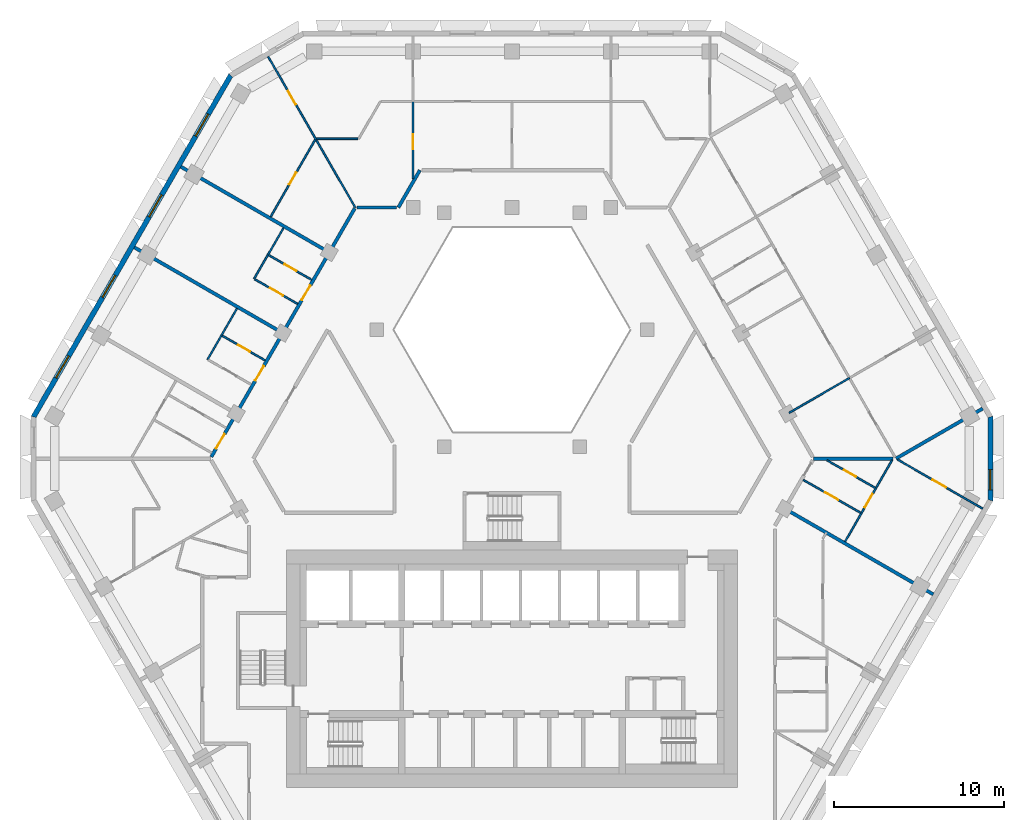
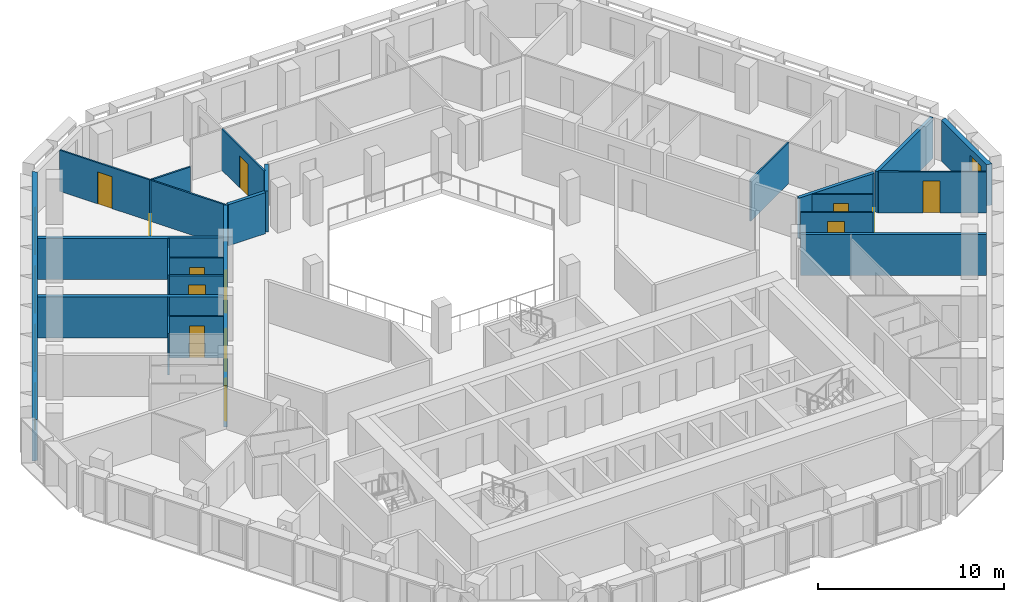
# One storey, part 7 of 15: 24 walls, 13 doors, 5 windows, 18 openings.
"""IFC4 building model written with IfcOpenShell, lengths in metres."""

import ifcopenshell
import ifcopenshell.guid

model = None  # the IFC model being written
_history = None  # IfcOwnerHistory: only IFC2X3 demands one
_inside = {}  # id of a spatial element -> (the spatial element, [elements in it])
_under = {}  # id of a project, library or spatial element -> (it, [spatial elements below it])
_declared = {}  # id of a project -> (the project, [libraries it declares])
_typed = {}  # id of a type object -> (the type object, [elements of that type])
_made_of = {}  # id of a material, layer set ... -> (it, [elements and type objects made of it])


def new_model(schema):
    """Start an empty IFC model of exactly this schema.

    Asked for "IFC4X3", IfcOpenShell would pick the latest addendum, in which some entities
    have other attributes; the version numbers below select the first issue.
    IFC2X3 requires an IfcOwnerHistory on every rooted entity: one is made here for all.
    """
    global model, _history
    if schema == "IFC4X3":
        model = ifcopenshell.file(schema_version=(4, 3, 0, 0))
    else:
        model = ifcopenshell.file(schema=schema)
    _inside.clear()
    _under.clear()
    _declared.clear()
    _typed.clear()
    _made_of.clear()
    _history = None
    if model.schema == "IFC2X3":
        org = make("IfcOrganization", Name="unknown")
        user = make(
            "IfcPersonAndOrganization",
            ThePerson=make("IfcPerson", FamilyName="unknown"),
            TheOrganization=org,
        )
        app = make(
            "IfcApplication",
            ApplicationDeveloper=org,
            Version="unknown",
            ApplicationFullName="unknown",
            ApplicationIdentifier="unknown",
        )
        _history = make(
            "IfcOwnerHistory",
            OwningUser=user,
            OwningApplication=app,
            ChangeAction="ADDED",
            CreationDate=0,
        )
    return model


def make(cls, **values):
    """One entity of the class cls with the attributes given. An attribute that is None is left unset."""
    return model.create_entity(
        cls, **{name: value for name, value in values.items() if value is not None}
    )


def rooted(cls, **values):
    """An entity with a GlobalId (a new one), such as an element, a storey or a relation."""
    return make(cls, GlobalId=ifcopenshell.guid.new(), OwnerHistory=_history, **values)


def si_unit(unit_type, name, prefix=None):
    """IfcSIUnit, for example si_unit("LENGTHUNIT", "METRE", prefix="MILLI")."""
    return make("IfcSIUnit", UnitType=unit_type, Prefix=prefix, Name=name)


def assignment(units):
    """IfcUnitAssignment: the units of a project."""
    return None if units is None else make("IfcUnitAssignment", Units=units)


def point(xyz):
    """IfcCartesianPoint."""
    return None if xyz is None else make("IfcCartesianPoint", Coordinates=xyz)


def direction(xyz):
    """IfcDirection."""
    return None if xyz is None else make("IfcDirection", DirectionRatios=xyz)


def frame(location, z_axis=None, x_axis=None):
    """IfcAxis2Placement3D, a coordinate frame: its origin and axes. An axis left out is left unset."""
    return make(
        "IfcAxis2Placement3D",
        Location=point(location),
        Axis=direction(z_axis),
        RefDirection=direction(x_axis),
    )


def frame_2d(location, x_axis=None):
    """IfcAxis2Placement2D, a coordinate frame in the plane: its origin and x axis."""
    return make(
        "IfcAxis2Placement2D", Location=point(location), RefDirection=direction(x_axis)
    )


def origin():
    """The frame at (0, 0, 0) with its axes left unset."""
    return frame((0.0, 0.0, 0.0))


def place(relative_to, where):
    """IfcLocalPlacement: puts the frame where relative to a parent placement (None: the world)."""
    return make(
        "IfcLocalPlacement", PlacementRelTo=relative_to, RelativePlacement=where
    )


def context(
    kind, dimensions, precision=None, world=None, true_north=None, identifier=None
):
    """IfcGeometricRepresentationContext, for example the 3D "Model" context."""
    return make(
        "IfcGeometricRepresentationContext",
        ContextIdentifier=identifier,
        ContextType=kind,
        CoordinateSpaceDimension=dimensions,
        Precision=precision,
        WorldCoordinateSystem=world,
        TrueNorth=true_north,
    )


def subcontext(parent, identifier, kind, view, scale=None):
    """IfcGeometricRepresentationSubContext, for example "Body" below "Model"."""
    return make(
        "IfcGeometricRepresentationSubContext",
        ContextIdentifier=identifier,
        ContextType=kind,
        ParentContext=parent,
        TargetScale=scale,
        TargetView=view,
    )


def project(units=None, contexts=None):
    """IfcProject with its units and contexts."""
    return rooted(
        "IfcProject",
        Name="project",
        RepresentationContexts=contexts,
        UnitsInContext=assignment(units),
    )


def spatial(cls, under=None, at=None, **own):
    """A site, building, storey or space (cls), placed at a placement, below another one or the project."""
    s = rooted(cls, ObjectPlacement=at, **own)
    if under is not None:
        _under.setdefault(under.id(), (under, []))[1].append(s)
    return s


def polyline(points):
    """IfcPolyline through the points."""
    return make("IfcPolyline", Points=[point(p) for p in points])


def profile(cls, at=None, kind="AREA", **sizes):
    """A parametric profile (cls). Its sizes go by their IFC names, for example OverallWidth=200.0."""
    return make(cls, ProfileType=kind, Position=at, **sizes)


def rectangle(**sizes):
    """IfcRectangleProfileDef."""
    return profile("IfcRectangleProfileDef", **sizes)


def outline(outer, holes=None, kind="AREA"):
    """IfcArbitraryClosedProfileDef: a profile drawn as a closed curve; with holes, ...WithVoids."""
    if holes is None:
        return make("IfcArbitraryClosedProfileDef", ProfileType=kind, OuterCurve=outer)
    return make(
        "IfcArbitraryProfileDefWithVoids",
        ProfileType=kind,
        OuterCurve=outer,
        InnerCurves=holes,
    )


def extrude(swept, where, along, depth):
    """IfcExtrudedAreaSolid: the profile swept, set in the frame where, extruded along a direction by depth."""
    return make(
        "IfcExtrudedAreaSolid",
        SweptArea=swept,
        Position=where,
        ExtrudedDirection=direction(along),
        Depth=depth,
    )


def shape(context_of_items, identifier, shape_type, items):
    """IfcShapeRepresentation: the items that make up one representation, for example the "Body"."""
    return make(
        "IfcShapeRepresentation",
        ContextOfItems=context_of_items,
        RepresentationIdentifier=identifier,
        RepresentationType=shape_type,
        Items=items,
    )


def material(Name=None, Category=None):
    """IfcMaterial."""
    return make("IfcMaterial", Name=Name, Category=Category)


def layer(
    of_material, thickness, ventilated=None, Name=None, Category=None, Priority=None
):
    """IfcMaterialLayer: one layer of a wall or slab, of a material (None: an air gap)."""
    return make(
        "IfcMaterialLayer",
        Material=of_material,
        LayerThickness=thickness,
        IsVentilated=ventilated,
        Name=Name,
        Category=Category,
        Priority=Priority,
    )


def layer_set(layers, Name=None):
    """IfcMaterialLayerSet."""
    return make("IfcMaterialLayerSet", MaterialLayers=layers, LayerSetName=Name)


def made_of(thing, what):
    """Note that an element or type object is made of a material, layer set ...; save() writes the relation."""
    if what is not None:
        _made_of.setdefault(what.id(), (what, []))[1].append(thing)
    return thing


def type_object(cls, material=None, **own):
    """A type object (cls), such as IfcWallType, which elements share."""
    return made_of(rooted(cls, **own), material)


def element(
    cls,
    number,
    at=None,
    inside=None,
    cuts=None,
    type_object=None,
    material=None,
    context=None,
    identifier="Body",
    shape_type=None,
    held_by="IfcProductDefinitionShape",
    body=None,
    shapes=None,
    **own,
):
    """One element of the class cls, such as IfcWall. Its Tag is "e" and its number.

    at: its placement. inside: the storey or other place that contains it. cuts: it is an
    opening in that element (IfcRelVoidsElement). A single representation is given by context,
    identifier, shape_type and body (its items); several are given by shapes. held_by: the class
    of the entity that holds the representations. save() writes the other relations.
    """
    e = rooted(cls, Tag="e%d" % number, ObjectPlacement=at, **own)
    if body is not None:
        shapes = [shape(context, identifier, shape_type, body)]
    if shapes is not None:
        e.Representation = make(held_by, Representations=shapes)
    if inside is not None:
        _inside.setdefault(inside.id(), (inside, []))[1].append(e)
    if cuts is not None:
        rooted(
            "IfcRelVoidsElement", RelatingBuildingElement=cuts, RelatedOpeningElement=e
        )
    if type_object is not None:
        _typed.setdefault(type_object.id(), (type_object, []))[1].append(e)
    return made_of(e, material)


def fill(opening, filler):
    """IfcRelFillsElement: the door or window that sits in an opening."""
    return rooted(
        "IfcRelFillsElement",
        RelatingOpeningElement=opening,
        RelatedBuildingElement=filler,
    )


def aggregate(whole, parts):
    """IfcRelAggregates: a whole, such as a stair, and the parts it consists of."""
    return rooted("IfcRelAggregates", RelatingObject=whole, RelatedObjects=parts)


def save(model, path):
    """Write the relations noted so far, then the file.

    IfcRelAggregates (storeys below a building ...), IfcRelContainedInSpatialStructure (elements
    in a storey), IfcRelDefinesByType, IfcRelAssociatesMaterial and IfcRelDeclares: one each for
    every whole, place, type object, material and project.
    """
    for whole, parts in _under.values():
        aggregate(whole, parts)
    for where, things in _inside.values():
        rooted(
            "IfcRelContainedInSpatialStructure",
            RelatedElements=things,
            RelatingStructure=where,
        )
    for kind, things in _typed.values():
        rooted("IfcRelDefinesByType", RelatedObjects=things, RelatingType=kind)
    for what, things in _made_of.values():
        rooted("IfcRelAssociatesMaterial", RelatedObjects=things, RelatingMaterial=what)
    for by, libraries in _declared.values():
        rooted("IfcRelDeclares", RelatingContext=by, RelatedDefinitions=libraries)
    model.write(path)


model = new_model("IFC4")

# Units and contexts
model_context = context("Model", 3, precision=1e-05, world=origin(), true_north=direction((0.0, 1.0)))
body_context = subcontext(model_context, "Body", "Model", "MODEL_VIEW")
ifc_project = project(units=[si_unit("LENGTHUNIT", "METRE"), si_unit("AREAUNIT", "SQUARE_METRE"), si_unit("VOLUMEUNIT", "CUBIC_METRE"), si_unit("PLANEANGLEUNIT", "RADIAN"), si_unit("MASSUNIT", "GRAM", prefix="KILO")], contexts=[model_context])

# Site, building, storey
site_placement = place(None, origin())
site = spatial("IfcSite", under=ifc_project, at=site_placement, CompositionType="ELEMENT")
building_placement = place(site_placement, origin())
building = spatial("IfcBuilding", under=site, at=building_placement, Name="Beryl Residences", CompositionType="ELEMENT")
storey_placement = place(building_placement, frame((0.0, 0.0, 141.60009765625)))
storey = spatial("IfcBuildingStorey", under=building, at=storey_placement, Name="L43", CompositionType="ELEMENT", Elevation=141.60009765625)

# Wall, openings, windows
ifc_material_1 = material(Name="Composite metal panel with mineral wool insulation")
ifc_layer_1 = layer(ifc_material_1, 0.300048828125)
ifc_layer_set_1 = layer_set([ifc_layer_1], Name="ES1 pale metal composite panel wall 300 mm")
wall_type_1 = type_object("IfcWallType", Name="ES1 pale metal composite panel wall 300 mm", PredefinedType="SOLIDWALL", material=ifc_layer_set_1)
wall_1_placement = place(storey_placement, frame((-16.554931640625, 23.02490234375, 0.0), z_axis=(0.0, 0.0, 1.0), x_axis=(-0.500020536353, -0.866013546791, 0.0)))
wall_1 = element("IfcWall", 1, at=wall_1_placement, inside=storey, type_object=wall_type_1, Name="ES1 external wall L43 NW", PredefinedType="SOLIDWALL", context=body_context, shape_type="SweptSolid", body=[
    extrude(outline(polyline([(0.0, -0.14990234375), (23.3251953125, -0.14990234375), (23.244873046875, 0.14990234375), (0.080322265625, 0.14990234375), (0.0, -0.14990234375)])), origin(), (0.0, 0.0, 1.0), 2.699951171875),
])
opening_1_placement = place(wall_1_placement, frame((2.68505859375, 0.0, 0.14990234375)))
opening_1 = element("IfcOpeningElement", 2, at=opening_1_placement, cuts=wall_1, Name="Opening W1", PredefinedType="OPENING", context=body_context, shape_type="SweptSolid", body=[
    extrude(rectangle(XDim=1.5, YDim=2.10009765625, at=frame_2d((0.75, 1.050048828125))), frame((0.0, 0.159912109375, 0.0), z_axis=(0.0, -1.0, 0.0), x_axis=(1.0, 0.0, 0.0)), (0.0, 0.0, 1.0), 0.320068359375),
])
opening_2_placement = place(wall_1_placement, frame((8.1708984375, 0.0, 0.14990234375)))
opening_2 = element("IfcOpeningElement", 3, at=opening_2_placement, cuts=wall_1, Name="Opening W1", PredefinedType="OPENING", context=body_context, shape_type="SweptSolid", body=[
    extrude(rectangle(XDim=1.5, YDim=2.10009765625, at=frame_2d((0.75, 1.050048828125))), frame((0.0, 0.159912109375, 0.0), z_axis=(0.0, -1.0, 0.0), x_axis=(1.0, 0.0, 0.0)), (0.0, 0.0, 1.0), 0.320068359375),
])
opening_3_placement = place(wall_1_placement, frame((13.655029296875, 0.0, 0.14990234375)))
opening_3 = element("IfcOpeningElement", 4, at=opening_3_placement, cuts=wall_1, Name="Opening W1", PredefinedType="OPENING", context=body_context, shape_type="SweptSolid", body=[
    extrude(rectangle(XDim=1.5, YDim=2.10009765625, at=frame_2d((0.75, 1.050048828125))), frame((0.0, 0.159912109375, 0.0), z_axis=(0.0, -1.0, 0.0), x_axis=(1.0, 0.0, 0.0)), (0.0, 0.0, 1.0), 0.320068359375),
])
opening_4_placement = place(wall_1_placement, frame((19.139892578125, 0.0, 0.14990234375)))
opening_4 = element("IfcOpeningElement", 5, at=opening_4_placement, cuts=wall_1, Name="Opening W1", PredefinedType="OPENING", context=body_context, shape_type="SweptSolid", body=[
    extrude(rectangle(XDim=1.5, YDim=2.10009765625, at=frame_2d((0.75, 1.050048828125))), frame((0.0, 0.159912109375, 0.0), z_axis=(0.0, -1.0, 0.0), x_axis=(1.0, 0.0, 0.0)), (0.0, 0.0, 1.0), 0.320068359375),
])
ifc_material_2 = material(Name="Aluminium and clear glass", Category="aluminium")
window_type_1 = type_object("IfcWindowType", Name="W1 cell window 1500 x 2100 mm", PartitioningType="SINGLE_PANEL", PredefinedType="WINDOW", material=ifc_material_2)
window_1_placement = place(opening_1_placement, origin())
window_1 = element("IfcWindow", 6, at=window_1_placement, inside=storey, type_object=window_type_1, Name="W1 window L43 NW 2", OverallHeight=2.10009765625, OverallWidth=1.5, PartitioningType="SINGLE_PANEL", PredefinedType="WINDOW", context=body_context, shape_type="SweptSolid", body=[
    extrude(rectangle(XDim=1.5, YDim=2.10009765625, at=frame_2d((0.75, 1.050048828125))), frame((0.0, 0.030029296875, 0.0), z_axis=(0.0, -1.0, 0.0), x_axis=(1.0, 0.0, 0.0)), (0.0, 0.0, 1.0), 0.06005859375),
])
fill(opening_1, window_1)
window_2_placement = place(opening_2_placement, origin())
window_2 = element("IfcWindow", 7, at=window_2_placement, inside=storey, type_object=window_type_1, Name="W1 window L43 NW 4", OverallHeight=2.10009765625, OverallWidth=1.5, PartitioningType="SINGLE_PANEL", PredefinedType="WINDOW", context=body_context, shape_type="SweptSolid", body=[
    extrude(rectangle(XDim=1.5, YDim=2.10009765625, at=frame_2d((0.75, 1.050048828125))), frame((0.0, 0.030029296875, 0.0), z_axis=(0.0, -1.0, 0.0), x_axis=(1.0, 0.0, 0.0)), (0.0, 0.0, 1.0), 0.06005859375),
])
fill(opening_2, window_2)
window_3_placement = place(opening_3_placement, origin())
window_3 = element("IfcWindow", 8, at=window_3_placement, inside=storey, type_object=window_type_1, Name="W1 window L43 NW 6", OverallHeight=2.10009765625, OverallWidth=1.5, PartitioningType="SINGLE_PANEL", PredefinedType="WINDOW", context=body_context, shape_type="SweptSolid", body=[
    extrude(rectangle(XDim=1.5, YDim=2.10009765625, at=frame_2d((0.75, 1.050048828125))), frame((0.0, 0.030029296875, 0.0), z_axis=(0.0, -1.0, 0.0), x_axis=(1.0, 0.0, 0.0)), (0.0, 0.0, 1.0), 0.06005859375),
])
fill(opening_3, window_3)
window_4_placement = place(opening_4_placement, origin())
window_4 = element("IfcWindow", 9, at=window_4_placement, inside=storey, type_object=window_type_1, Name="W1 window L43 NW 8", OverallHeight=2.10009765625, OverallWidth=1.5, PartitioningType="SINGLE_PANEL", PredefinedType="WINDOW", context=body_context, shape_type="SweptSolid", body=[
    extrude(rectangle(XDim=1.5, YDim=2.10009765625, at=frame_2d((0.75, 1.050048828125))), frame((0.0, 0.030029296875, 0.0), z_axis=(0.0, -1.0, 0.0), x_axis=(1.0, 0.0, 0.0)), (0.0, 0.0, 1.0), 0.06005859375),
])
fill(opening_4, window_4)

# Wall, opening, window
wall_2_placement = place(storey_placement, frame((28.197998046875, -2.10009765625, 0.0), z_axis=(0.0, 0.0, 1.0), x_axis=(0.0, 1.0, 0.0)))
wall_2 = element("IfcWall", 10, at=wall_2_placement, inside=storey, type_object=wall_type_1, Name="ES1 external wall L43 SE-NE", PredefinedType="SOLIDWALL", context=body_context, shape_type="SweptSolid", body=[
    extrude(outline(polyline([(0.0, -0.14990234375), (5.0, -0.14990234375), (4.919677734375, 0.14990234375), (0.080322265625, 0.14990234375), (0.0, -0.14990234375)])), origin(), (0.0, 0.0, 1.0), 2.699951171875),
])
opening_5_placement = place(wall_2_placement, frame((0.64990234375, 0.0, 0.14990234375)))
opening_5 = element("IfcOpeningElement", 11, at=opening_5_placement, cuts=wall_2, Name="Opening W2", PredefinedType="OPENING", context=body_context, shape_type="SweptSolid", body=[
    extrude(rectangle(XDim=1.199951171875, YDim=2.10009765625, at=frame_2d((0.60009765625, 1.050048828125))), frame((0.0, 0.159912109375, 0.0), z_axis=(0.0, -1.0, 0.0), x_axis=(1.0, 0.0, 0.0)), (0.0, 0.0, 1.0), 0.320068359375),
])
ifc_material_3 = material(Name="Aluminium and clear glass", Category="aluminium")
window_type_2 = type_object("IfcWindowType", Name="W2 chamfer window 1200 x 2100 mm", PartitioningType="SINGLE_PANEL", PredefinedType="WINDOW", material=ifc_material_3)
window_5_placement = place(opening_5_placement, origin())
window_5 = element("IfcWindow", 12, at=window_5_placement, inside=storey, type_object=window_type_2, Name="W2 window L43 SE-NE 1", OverallHeight=2.10009765625, OverallWidth=1.199951171875, PartitioningType="SINGLE_PANEL", PredefinedType="WINDOW", context=body_context, shape_type="SweptSolid", body=[
    extrude(rectangle(XDim=1.199951171875, YDim=2.10009765625, at=frame_2d((0.60009765625, 1.050048828125))), frame((0.0, 0.030029296875, 0.0), z_axis=(0.0, -1.0, 0.0), x_axis=(1.0, 0.0, 0.0)), (0.0, 0.0, 1.0), 0.06005859375),
])
fill(opening_5, window_5)

# Wall, opening, door
ifc_material_4 = material(Name="Gypsum board partition on steel studs", Category="steel")
ifc_layer_2 = layer(ifc_material_4, 0.10009765625)
ifc_layer_set_2 = layer_set([ifc_layer_2], Name="PT1 partition 100 mm gypsum board on steel studs")
wall_type_2 = type_object("IfcWallType", Name="PT1 partition 100 mm gypsum board on steel studs", PredefinedType="PARTITIONING", material=ifc_layer_set_2)
wall_3_placement = place(storey_placement, frame((-14.3701171875, 24.090087890625, 0.0), z_axis=(0.0, 0.0, 1.0), x_axis=(0.50002438799, -0.866011322914, 0.0)))
wall_3 = element("IfcWall", 13, at=wall_3_placement, inside=storey, type_object=wall_type_2, Name="Wall PT1 L43 001", PredefinedType="PARTITIONING", context=body_context, shape_type="SweptSolid", body=[
    extrude(rectangle(XDim=10.265625, YDim=0.10009765625, at=frame_2d((5.1328125, 0.0))), origin(), (0.0, 0.0, 1.0), 2.699951171875),
])
opening_6_placement = place(wall_3_placement, frame((2.346923828125, 0.0, 0.0)))
opening_6 = element("IfcOpeningElement", 14, at=opening_6_placement, cuts=wall_3, Name="Opening D1335", PredefinedType="OPENING", context=body_context, shape_type="SweptSolid", body=[
    extrude(rectangle(XDim=0.89990234375, YDim=2.10009765625, at=frame_2d((0.449951171875, 1.050048828125))), frame((0.0, 0.06005859375, 0.0), z_axis=(0.0, -1.0, 0.0), x_axis=(1.0, 0.0, 0.0)), (0.0, 0.0, 1.0), 0.1201171875),
])
ifc_material_5 = material(Name="Timber door leaf", Category="wood")
door_type_1 = type_object("IfcDoorType", Name="D2 room door 900 x 2100 mm", OperationType="SINGLE_SWING_LEFT", PredefinedType="DOOR", material=ifc_material_5)
door_1_placement = place(opening_6_placement, origin())
door_1 = element("IfcDoor", 15, at=door_1_placement, inside=storey, type_object=door_type_1, Name="Door D1335 L43 001", OperationType="SINGLE_SWING_LEFT", OverallHeight=2.10009765625, OverallWidth=0.89990234375, PredefinedType="DOOR", context=body_context, shape_type="SweptSolid", body=[
    extrude(rectangle(XDim=0.89990234375, YDim=2.10009765625, at=frame_2d((0.449951171875, 1.050048828125))), frame((0.0, 0.02490234375, 0.0), z_axis=(0.0, -1.0, 0.0), x_axis=(1.0, 0.0, 0.0)), (0.0, 0.0, 1.0), 0.050048828125),
])
fill(opening_6, door_1)

wall_4_placement = place(storey_placement, frame((-17.075927734375, 7.64208984375, 0.0), z_axis=(0.0, 0.0, 1.0), x_axis=(0.866003949776, -0.500037157592, 0.0)))
wall_4 = element("IfcWall", 16, at=wall_4_placement, inside=storey, type_object=wall_type_2, Name="Wall PT1 L43 013", PredefinedType="PARTITIONING", context=body_context, shape_type="SweptSolid", body=[
    extrude(rectangle(XDim=2.909912109375, YDim=0.10009765625, at=frame_2d((1.455078125, 0.0))), origin(), (0.0, 0.0, 1.0), 2.699951171875),
])
opening_7_placement = place(wall_4_placement, frame((1.080078125, 0.0, 0.0)))
opening_7 = element("IfcOpeningElement", 17, at=opening_7_placement, cuts=wall_4, Name="Opening D1343", PredefinedType="OPENING", context=body_context, shape_type="SweptSolid", body=[
    extrude(rectangle(XDim=0.800048828125, YDim=2.10009765625, at=frame_2d((0.39990234375, 1.050048828125))), frame((0.0, 0.06005859375, 0.0), z_axis=(0.0, -1.0, 0.0), x_axis=(1.0, 0.0, 0.0)), (0.0, 0.0, 1.0), 0.1201171875),
])
ifc_material_6 = material(Name="Timber door leaf", Category="wood")
door_type_2 = type_object("IfcDoorType", Name="D3 bathroom door 800 x 2100 mm", OperationType="SINGLE_SWING_LEFT", PredefinedType="DOOR", material=ifc_material_6)
door_2_placement = place(opening_7_placement, origin())
door_2 = element("IfcDoor", 18, at=door_2_placement, inside=storey, type_object=door_type_2, Name="Door D1343 L43 001", OperationType="SINGLE_SWING_LEFT", OverallHeight=2.10009765625, OverallWidth=0.800048828125, PredefinedType="DOOR", context=body_context, shape_type="SweptSolid", body=[
    extrude(rectangle(XDim=0.800048828125, YDim=2.10009765625, at=frame_2d((0.39990234375, 1.050048828125))), frame((0.0, 0.02490234375, 0.0), z_axis=(0.0, -1.0, 0.0), x_axis=(1.0, 0.0, 0.0)), (0.0, 0.0, 1.0), 0.050048828125),
])
fill(opening_7, door_2)

wall_5_placement = place(storey_placement, frame((-14.333984375, 12.39208984375, 0.0), z_axis=(0.0, 0.0, 1.0), x_axis=(0.866003949776, -0.500037157592, 0.0)))
wall_5 = element("IfcWall", 19, at=wall_5_placement, inside=storey, type_object=wall_type_2, Name="Wall PT1 L43 015", PredefinedType="PARTITIONING", context=body_context, shape_type="SweptSolid", body=[
    extrude(rectangle(XDim=2.909912109375, YDim=0.10009765625, at=frame_2d((1.455078125, 0.0))), origin(), (0.0, 0.0, 1.0), 2.699951171875),
])
opening_8_placement = place(wall_5_placement, frame((1.080078125, 0.0, 0.0)))
opening_8 = element("IfcOpeningElement", 20, at=opening_8_placement, cuts=wall_5, Name="Opening D1340", PredefinedType="OPENING", context=body_context, shape_type="SweptSolid", body=[
    extrude(rectangle(XDim=0.800048828125, YDim=2.10009765625, at=frame_2d((0.39990234375, 1.050048828125))), frame((0.0, 0.06005859375, 0.0), z_axis=(0.0, -1.0, 0.0), x_axis=(1.0, 0.0, 0.0)), (0.0, 0.0, 1.0), 0.1201171875),
])
door_3_placement = place(opening_8_placement, origin())
door_3 = element("IfcDoor", 21, at=door_3_placement, inside=storey, type_object=door_type_2, Name="Door D1340 L43 001", OperationType="SINGLE_SWING_RIGHT", OverallHeight=2.10009765625, OverallWidth=0.800048828125, PredefinedType="DOOR", context=body_context, shape_type="SweptSolid", body=[
    extrude(rectangle(XDim=0.800048828125, YDim=2.10009765625, at=frame_2d((0.39990234375, 1.050048828125))), frame((0.0, 0.02490234375, 0.0), z_axis=(0.0, -1.0, 0.0), x_axis=(1.0, 0.0, 0.0)), (0.0, 0.0, 1.0), 0.050048828125),
])
fill(opening_8, door_3)

wall_6_placement = place(storey_placement, frame((17.1708984375, -0.85693359375, 0.0), z_axis=(0.0, 0.0, 1.0), x_axis=(0.867173455867, -0.49800622229, 0.0)))
wall_6 = element("IfcWall", 22, at=wall_6_placement, inside=storey, type_object=wall_type_2, Name="Wall PT1 L43 016", PredefinedType="PARTITIONING", context=body_context, shape_type="SweptSolid", body=[
    extrude(rectangle(XDim=3.89794921875, YDim=0.10009765625, at=frame_2d((1.948974609375, 0.0))), origin(), (0.0, 0.0, 1.0), 2.699951171875),
])
opening_9_placement = place(wall_6_placement, frame((1.47412109375, 0.0, 0.0)))
opening_9 = element("IfcOpeningElement", 23, at=opening_9_placement, cuts=wall_6, Name="Opening D1315", PredefinedType="OPENING", context=body_context, shape_type="SweptSolid", body=[
    extrude(rectangle(XDim=0.89990234375, YDim=2.10009765625, at=frame_2d((0.449951171875, 1.050048828125))), frame((0.0, 0.06005859375, 0.0), z_axis=(0.0, -1.0, 0.0), x_axis=(1.0, 0.0, 0.0)), (0.0, 0.0, 1.0), 0.1201171875),
])
door_4_placement = place(opening_9_placement, origin())
door_4 = element("IfcDoor", 24, at=door_4_placement, inside=storey, type_object=door_type_1, Name="Door D1315 L43 001", OperationType="SINGLE_SWING_LEFT", OverallHeight=2.10009765625, OverallWidth=0.89990234375, PredefinedType="DOOR", context=body_context, shape_type="SweptSolid", body=[
    extrude(rectangle(XDim=0.89990234375, YDim=2.10009765625, at=frame_2d((0.449951171875, 1.050048828125))), frame((0.0, 0.02490234375, 0.0), z_axis=(0.0, -1.0, 0.0), x_axis=(1.0, 0.0, 0.0)), (0.0, 0.0, 1.0), 0.050048828125),
])
fill(opening_9, door_4)

wall_7_placement = place(storey_placement, frame((18.568115234375, 0.301025390625, 0.0), z_axis=(0.0, 0.0, 1.0), x_axis=(0.867155675456, -0.49803718187, 0.0)))
wall_7 = element("IfcWall", 25, at=wall_7_placement, inside=storey, type_object=wall_type_2, Name="Wall PT1 L43 017", PredefinedType="PARTITIONING", context=body_context, shape_type="SweptSolid", body=[
    extrude(rectangle(XDim=3.266845703125, YDim=0.10009765625, at=frame_2d((1.63330078125, 0.0))), origin(), (0.0, 0.0, 1.0), 2.699951171875),
])
opening_10_placement = place(wall_7_placement, frame((1.157958984375, 0.0, 0.0)))
opening_10 = element("IfcOpeningElement", 26, at=opening_10_placement, cuts=wall_7, Name="Opening D1316", PredefinedType="OPENING", context=body_context, shape_type="SweptSolid", body=[
    extrude(rectangle(XDim=0.800048828125, YDim=2.10009765625, at=frame_2d((0.39990234375, 1.050048828125))), frame((0.0, 0.06005859375, 0.0), z_axis=(0.0, -1.0, 0.0), x_axis=(1.0, 0.0, 0.0)), (0.0, 0.0, 1.0), 0.1201171875),
])
door_5_placement = place(opening_10_placement, origin())
door_5 = element("IfcDoor", 27, at=door_5_placement, inside=storey, type_object=door_type_2, Name="Door D1316 L43 001", OperationType="SINGLE_SWING_RIGHT", OverallHeight=2.10009765625, OverallWidth=0.800048828125, PredefinedType="DOOR", context=body_context, shape_type="SweptSolid", body=[
    extrude(rectangle(XDim=0.800048828125, YDim=2.10009765625, at=frame_2d((0.39990234375, 1.050048828125))), frame((0.0, 0.02490234375, 0.0), z_axis=(0.0, -1.0, 0.0), x_axis=(1.0, 0.0, 0.0)), (0.0, 0.0, 1.0), 0.050048828125),
])
fill(opening_10, door_5)

wall_8_placement = place(storey_placement, frame((22.72900390625, 0.343017578125, 0.0), z_axis=(0.0, 0.0, 1.0), x_axis=(0.865996608848, -0.500049870977, 0.0)))
wall_8 = element("IfcWall", 28, at=wall_8_placement, inside=storey, type_object=wall_type_2, Name="Wall PT1 L43 018", PredefinedType="PARTITIONING", context=body_context, shape_type="SweptSolid", body=[
    extrude(rectangle(XDim=5.78759765625, YDim=0.10009765625, at=frame_2d((2.893798828125, 0.0))), origin(), (0.0, 0.0, 1.0), 2.699951171875),
])
opening_11_placement = place(wall_8_placement, frame((2.385986328125, 0.0, 0.0)))
opening_11 = element("IfcOpeningElement", 29, at=opening_11_placement, cuts=wall_8, Name="Opening D1318", PredefinedType="OPENING", context=body_context, shape_type="SweptSolid", body=[
    extrude(rectangle(XDim=0.89990234375, YDim=2.10009765625, at=frame_2d((0.449951171875, 1.050048828125))), frame((0.0, 0.06005859375, 0.0), z_axis=(0.0, -1.0, 0.0), x_axis=(1.0, 0.0, 0.0)), (0.0, 0.0, 1.0), 0.1201171875),
])
door_6_placement = place(opening_11_placement, origin())
door_6 = element("IfcDoor", 30, at=door_6_placement, inside=storey, type_object=door_type_1, Name="Door D1318 L43 001", OperationType="SINGLE_SWING_RIGHT", OverallHeight=2.10009765625, OverallWidth=0.89990234375, PredefinedType="DOOR", context=body_context, shape_type="SweptSolid", body=[
    extrude(rectangle(XDim=0.89990234375, YDim=2.10009765625, at=frame_2d((0.449951171875, 1.050048828125))), frame((0.0, 0.02490234375, 0.0), z_axis=(0.0, -1.0, 0.0), x_axis=(1.0, 0.0, 0.0)), (0.0, 0.0, 1.0), 0.050048828125),
])
fill(opening_11, door_6)

wall_9_placement = place(storey_placement, frame((-15.156005859375, 10.967041015625, 0.0), z_axis=(0.0, 0.0, 1.0), x_axis=(0.866003949776, -0.500037157592, 0.0)))
wall_9 = element("IfcWall", 31, at=wall_9_placement, inside=storey, type_object=wall_type_2, Name="Wall PT1 L43 019", PredefinedType="PARTITIONING", context=body_context, shape_type="SweptSolid", body=[
    extrude(rectangle(XDim=2.909912109375, YDim=0.10009765625, at=frame_2d((1.455078125, 0.0))), origin(), (0.0, 0.0, 1.0), 2.699951171875),
])
opening_12_placement = place(wall_9_placement, frame((1.029052734375, 0.0, 0.0)))
opening_12 = element("IfcOpeningElement", 32, at=opening_12_placement, cuts=wall_9, Name="Opening D1339", PredefinedType="OPENING", context=body_context, shape_type="SweptSolid", body=[
    extrude(rectangle(XDim=0.89990234375, YDim=2.10009765625, at=frame_2d((0.449951171875, 1.050048828125))), frame((0.0, 0.06005859375, 0.0), z_axis=(0.0, -1.0, 0.0), x_axis=(1.0, 0.0, 0.0)), (0.0, 0.0, 1.0), 0.1201171875),
])
door_7_placement = place(opening_12_placement, origin())
door_7 = element("IfcDoor", 33, at=door_7_placement, inside=storey, type_object=door_type_1, Name="Door D1339 L43 001", OperationType="SINGLE_SWING_LEFT", OverallHeight=2.10009765625, OverallWidth=0.89990234375, PredefinedType="DOOR", context=body_context, shape_type="SweptSolid", body=[
    extrude(rectangle(XDim=0.89990234375, YDim=2.10009765625, at=frame_2d((0.449951171875, 1.050048828125))), frame((0.0, 0.02490234375, 0.0), z_axis=(0.0, -1.0, 0.0), x_axis=(1.0, 0.0, 0.0)), (0.0, 0.0, 1.0), 0.050048828125),
])
fill(opening_12, door_7)

# Wall
wall_10_placement = place(storey_placement, frame((-11.51611328125, 19.24609375, 0.0), z_axis=(0.0, 0.0, 1.0), x_axis=(1.0, 0.0, 0.0)))
element("IfcWall", 34, at=wall_10_placement, inside=storey, type_object=wall_type_2, Name="Wall PT1 L43 025", PredefinedType="PARTITIONING", context=body_context, shape_type="SweptSolid", body=[
    extrude(rectangle(XDim=2.425048828125, YDim=0.10009765625, at=frame_2d((1.21240234375, 0.0))), origin(), (0.0, 0.0, 1.0), 2.699951171875),
])

# Wall, opening, door
wall_11_placement = place(storey_placement, frame((19.633056640625, -4.488037109375, 0.0), z_axis=(0.0, 0.0, 1.0), x_axis=(0.499989971015, 0.866031193944, 0.0)))
wall_11 = element("IfcWall", 35, at=wall_11_placement, inside=storey, type_object=wall_type_2, Name="Wall PT1 L43 029", PredefinedType="PARTITIONING", context=body_context, shape_type="SweptSolid", body=[
    extrude(rectangle(XDim=5.52978515625, YDim=0.10009765625, at=frame_2d((2.764892578125, 0.0))), origin(), (0.0, 0.0, 1.0), 2.699951171875),
])
opening_13_placement = place(wall_11_placement, frame((2.322021484375, 0.0, 0.0)))
opening_13 = element("IfcOpeningElement", 36, at=opening_13_placement, cuts=wall_11, Name="Opening D1317", PredefinedType="OPENING", context=body_context, shape_type="SweptSolid", body=[
    extrude(rectangle(XDim=0.89990234375, YDim=2.10009765625, at=frame_2d((0.449951171875, 1.050048828125))), frame((0.0, 0.06005859375, 0.0), z_axis=(0.0, -1.0, 0.0), x_axis=(1.0, 0.0, 0.0)), (0.0, 0.0, 1.0), 0.1201171875),
])
door_8_placement = place(opening_13_placement, origin())
door_8 = element("IfcDoor", 37, at=door_8_placement, inside=storey, type_object=door_type_1, Name="Door D1317 L43 001", OperationType="SINGLE_SWING_LEFT", OverallHeight=2.10009765625, OverallWidth=0.89990234375, PredefinedType="DOOR", context=body_context, shape_type="SweptSolid", body=[
    extrude(rectangle(XDim=0.89990234375, YDim=2.10009765625, at=frame_2d((0.449951171875, 1.050048828125))), frame((0.0, 0.02490234375, 0.0), z_axis=(0.0, -1.0, 0.0), x_axis=(1.0, 0.0, 0.0)), (0.0, 0.0, 1.0), 0.050048828125),
])
fill(opening_13, door_8)

# Walls
wall_12_placement = place(storey_placement, frame((-17.94189453125, 6.242919921875, 0.0), z_axis=(0.0, 0.0, 1.0), x_axis=(0.49997462182, 0.866040055388, 0.0)))
element("IfcWall", 38, at=wall_12_placement, inside=storey, type_object=wall_type_2, Name="Wall PT1 L43 031", PredefinedType="PARTITIONING", context=body_context, shape_type="SweptSolid", body=[
    extrude(rectangle(XDim=3.464111328125, YDim=0.10009765625, at=frame_2d((1.73193359375, 0.0))), origin(), (0.0, 0.0, 1.0), 2.699951171875),
])
wall_13_placement = place(storey_placement, frame((-15.198974609375, 10.992919921875, 0.0), z_axis=(0.0, 0.0, 1.0), x_axis=(0.499885210257, 0.866091667531, 0.0)))
element("IfcWall", 39, at=wall_13_placement, inside=storey, type_object=wall_type_2, Name="Wall PT1 L43 032", PredefinedType="PARTITIONING", context=body_context, shape_type="SweptSolid", body=[
    extrude(rectangle(XDim=3.462646484375, YDim=0.10009765625, at=frame_2d((1.7314453125, 0.0))), origin(), (0.0, 0.0, 1.0), 2.699951171875),
])

# Wall, opening, door
wall_14_placement = place(storey_placement, frame((-14.221923828125, 14.658935546875, 0.0), z_axis=(0.0, 0.0, 1.0), x_axis=(0.500053212623, 0.865994679283, 0.0)))
wall_14 = element("IfcWall", 40, at=wall_14_placement, inside=storey, type_object=wall_type_2, Name="Wall PT1 L43 034", PredefinedType="PARTITIONING", context=body_context, shape_type="SweptSolid", body=[
    extrude(rectangle(XDim=5.2392578125, YDim=0.10009765625, at=frame_2d((2.61962890625, 0.0))), origin(), (0.0, 0.0, 1.0), 2.699951171875),
])
opening_14_placement = place(wall_14_placement, frame((2.197998046875, 0.0, 0.0)))
opening_14 = element("IfcOpeningElement", 41, at=opening_14_placement, cuts=wall_14, Name="Opening D1337", PredefinedType="OPENING", context=body_context, shape_type="SweptSolid", body=[
    extrude(rectangle(XDim=0.800048828125, YDim=2.10009765625, at=frame_2d((0.39990234375, 1.050048828125))), frame((0.0, 0.06005859375, 0.0), z_axis=(0.0, -1.0, 0.0), x_axis=(1.0, 0.0, 0.0)), (0.0, 0.0, 1.0), 0.1201171875),
])
door_9_placement = place(opening_14_placement, origin())
door_9 = element("IfcDoor", 42, at=door_9_placement, inside=storey, type_object=door_type_2, Name="Door D1337 L43 001", OperationType="SINGLE_SWING_LEFT", OverallHeight=2.10009765625, OverallWidth=0.800048828125, PredefinedType="DOOR", context=body_context, shape_type="SweptSolid", body=[
    extrude(rectangle(XDim=0.800048828125, YDim=2.10009765625, at=frame_2d((0.39990234375, 1.050048828125))), frame((0.0, 0.02490234375, 0.0), z_axis=(0.0, -1.0, 0.0), x_axis=(1.0, 0.0, 0.0)), (0.0, 0.0, 1.0), 0.050048828125),
])
fill(opening_14, door_9)

wall_15_placement = place(storey_placement, frame((-5.8310546875, 16.89990234375, 0.0), z_axis=(0.0, 0.0, 1.0), x_axis=(0.0, 1.0, 0.0)))
wall_15 = element("IfcWall", 43, at=wall_15_placement, inside=storey, type_object=wall_type_2, Name="Wall PT1 L43 045", PredefinedType="PARTITIONING", context=body_context, shape_type="SweptSolid", body=[
    extrude(rectangle(XDim=4.546142578125, YDim=0.10009765625, at=frame_2d((2.27294921875, 0.0))), origin(), (0.0, 0.0, 1.0), 2.699951171875),
])
opening_15_placement = place(wall_15_placement, frame((1.722900390625, 0.0, 0.0)))
opening_15 = element("IfcOpeningElement", 44, at=opening_15_placement, cuts=wall_15, Name="Opening D1330", PredefinedType="OPENING", context=body_context, shape_type="SweptSolid", body=[
    extrude(rectangle(XDim=0.89990234375, YDim=2.10009765625, at=frame_2d((0.449951171875, 1.050048828125))), frame((0.0, 0.06005859375, 0.0), z_axis=(0.0, -1.0, 0.0), x_axis=(1.0, 0.0, 0.0)), (0.0, 0.0, 1.0), 0.1201171875),
])
door_10_placement = place(opening_15_placement, origin())
door_10 = element("IfcDoor", 45, at=door_10_placement, inside=storey, type_object=door_type_1, Name="Door D1330 L43 001", OperationType="SINGLE_SWING_RIGHT", OverallHeight=2.10009765625, OverallWidth=0.89990234375, PredefinedType="DOOR", context=body_context, shape_type="SweptSolid", body=[
    extrude(rectangle(XDim=0.89990234375, YDim=2.10009765625, at=frame_2d((0.449951171875, 1.050048828125))), frame((0.0, 0.02490234375, 0.0), z_axis=(0.0, -1.0, 0.0), x_axis=(1.0, 0.0, 0.0)), (0.0, 0.0, 1.0), 0.050048828125),
])
fill(opening_15, door_10)

# Walls
wall_16_placement = place(storey_placement, frame((16.339111328125, 3.10009765625, 0.0), z_axis=(0.0, 0.0, 1.0), x_axis=(0.866050731258, 0.499956128963, 0.0)))
element("IfcWall", 46, at=wall_16_placement, inside=storey, type_object=wall_type_2, Name="Wall PT1 L43 047", PredefinedType="PARTITIONING", context=body_context, shape_type="SweptSolid", body=[
    extrude(rectangle(XDim=4.099853515625, YDim=0.10009765625, at=frame_2d((2.0498046875, 0.0))), origin(), (0.0, 0.0, 1.0), 2.699951171875),
])
ifc_material_7 = material(Name="Acoustic double stud gypsum board wall")
ifc_layer_3 = layer(ifc_material_7, 0.199951171875)
ifc_layer_set_3 = layer_set([ifc_layer_3], Name="PT3 party wall 200 mm acoustic double stud")
wall_type_3 = type_object("IfcWallType", Name="PT3 party wall 200 mm acoustic double stud", PredefinedType="PARTITIONING", material=ifc_layer_set_3)
wall_17_placement = place(storey_placement, frame((-22.257080078125, 12.85009765625, 0.0), z_axis=(0.0, 0.0, 1.0), x_axis=(0.866047370643, -0.499961950354, 0.0)))
element("IfcWall", 47, at=wall_17_placement, inside=storey, type_object=wall_type_3, Name="Wall PT3 L43 003", PredefinedType="PARTITIONING", context=body_context, shape_type="SweptSolid", body=[
    extrude(rectangle(XDim=10.000732421875, YDim=0.199951171875, at=frame_2d((5.00048828125, 0.0))), origin(), (0.0, 0.0, 1.0), 2.699951171875),
])
wall_18_placement = place(storey_placement, frame((-19.513916015625, 17.59912109375, 0.0), z_axis=(0.0, 0.0, 1.0), x_axis=(0.866059142644, -0.499941558027, 0.0)))
element("IfcWall", 48, at=wall_18_placement, inside=storey, type_object=wall_type_3, Name="Wall PT3 L43 004", PredefinedType="PARTITIONING", context=body_context, shape_type="SweptSolid", body=[
    extrude(rectangle(XDim=9.999267578125, YDim=0.199951171875, at=frame_2d((4.99951171875, 0.0))), origin(), (0.0, 0.0, 1.0), 2.699951171875),
])
wall_19_placement = place(storey_placement, frame((16.1650390625, -2.60107421875, 0.0), z_axis=(0.0, 0.0, 1.0), x_axis=(0.866016855193, -0.500014806302, 0.0)))
element("IfcWall", 49, at=wall_19_placement, inside=storey, type_object=wall_type_3, Name="Wall PT3 L43 005", PredefinedType="PARTITIONING", context=body_context, shape_type="SweptSolid", body=[
    extrude(rectangle(XDim=9.999755859375, YDim=0.199951171875, at=frame_2d((5.0, 0.0))), origin(), (0.0, 0.0, 1.0), 2.699951171875),
])
wall_20_placement = place(storey_placement, frame((17.781982421875, 0.40087890625, 0.0), z_axis=(0.0, 0.0, 1.0), x_axis=(1.0, 0.0, 0.0)))
element("IfcWall", 50, at=wall_20_placement, inside=storey, type_object=wall_type_3, Name="Wall PT3 L43 007", PredefinedType="PARTITIONING", context=body_context, shape_type="SweptSolid", body=[
    extrude(rectangle(XDim=4.674072265625, YDim=0.199951171875, at=frame_2d((2.3369140625, 0.0))), origin(), (0.0, 0.0, 1.0), 2.699951171875),
])
wall_21_placement = place(storey_placement, frame((22.634033203125, 0.40087890625, 0.0), z_axis=(0.0, 0.0, 1.0), x_axis=(0.86601325737, 0.500021037617, 0.0)))
element("IfcWall", 51, at=wall_21_placement, inside=storey, type_object=wall_type_3, Name="Wall PT3 L43 011", PredefinedType="PARTITIONING", context=body_context, shape_type="SweptSolid", body=[
    extrude(rectangle(XDim=5.898193359375, YDim=0.199951171875, at=frame_2d((2.94921875, 0.0))), origin(), (0.0, 0.0, 1.0), 2.699951171875),
])
ifc_material_8 = material(Name="Double stud gypsum board wall")
ifc_layer_4 = layer(ifc_material_8, 0.199951171875)
ifc_layer_set_4 = layer_set([ifc_layer_4], Name="PT4 corridor wall 200 mm double stud")
wall_type_4 = type_object("IfcWallType", Name="PT4 corridor wall 200 mm double stud", PredefinedType="PARTITIONING", material=ifc_layer_set_4)
wall_22_placement = place(storey_placement, frame((-9.12109375, 15.199951171875, 0.0), z_axis=(0.0, 0.0, 1.0), x_axis=(1.0, 0.0, 0.0)))
element("IfcWall", 52, at=wall_22_placement, inside=storey, type_object=wall_type_4, Name="Wall PT4 L43 014", PredefinedType="PARTITIONING", context=body_context, shape_type="SweptSolid", body=[
    extrude(rectangle(XDim=2.30810546875, YDim=0.199951171875, at=frame_2d((1.154052734375, 0.0))), origin(), (0.0, 0.0, 1.0), 2.699951171875),
])
wall_23_placement = place(storey_placement, frame((-6.697021484375, 15.199951171875, 0.0), z_axis=(0.0, 0.0, 1.0), x_axis=(0.499963722229, 0.866046347752, 0.0)))
element("IfcWall", 53, at=wall_23_placement, inside=storey, type_object=wall_type_4, Name="Wall PT4 L43 021", PredefinedType="PARTITIONING", context=body_context, shape_type="SweptSolid", body=[
    extrude(rectangle(XDim=2.540283203125, YDim=0.199951171875, at=frame_2d((1.27001953125, 0.0))), origin(), (0.0, 0.0, 1.0), 2.699951171875),
])

# Wall, openings, doors
wall_24_placement = place(storey_placement, frame((-17.72412109375, 0.5, 0.0), z_axis=(0.0, 0.0, 1.0), x_axis=(0.499994801602, 0.86602840506, 0.0)))
wall_24 = element("IfcWall", 54, at=wall_24_placement, inside=storey, type_object=wall_type_4, Name="Wall PT4 L43 022", PredefinedType="PARTITIONING", context=body_context, shape_type="SweptSolid", body=[
    extrude(rectangle(XDim=16.916259765625, YDim=0.199951171875, at=frame_2d((8.4580078125, 0.0))), origin(), (0.0, 0.0, 1.0), 2.699951171875),
])
opening_16_placement = place(wall_24_placement, frame((10.672119140625, 0.0, 0.0)))
opening_16 = element("IfcOpeningElement", 55, at=opening_16_placement, cuts=wall_24, Name="Opening D1338", PredefinedType="OPENING", context=body_context, shape_type="SweptSolid", body=[
    extrude(rectangle(XDim=1.0, YDim=2.10009765625, at=frame_2d((0.5, 1.050048828125))), frame((0.0, 0.10986328125, 0.0), z_axis=(0.0, -1.0, 0.0), x_axis=(1.0, 0.0, 0.0)), (0.0, 0.0, 1.0), 0.219970703125),
])
opening_17_placement = place(wall_24_placement, frame((5.18701171875, 0.0, 0.0)))
opening_17 = element("IfcOpeningElement", 56, at=opening_17_placement, cuts=wall_24, Name="Opening D1341", PredefinedType="OPENING", context=body_context, shape_type="SweptSolid", body=[
    extrude(rectangle(XDim=1.0, YDim=2.10009765625, at=frame_2d((0.5, 1.050048828125))), frame((0.0, 0.10986328125, 0.0), z_axis=(0.0, -1.0, 0.0), x_axis=(1.0, 0.0, 0.0)), (0.0, 0.0, 1.0), 0.219970703125),
])
opening_18_placement = place(wall_24_placement, frame((0.56591796875, 0.0, 0.0)))
opening_18 = element("IfcOpeningElement", 57, at=opening_18_placement, cuts=wall_24, Name="Opening D1344", PredefinedType="OPENING", context=body_context, shape_type="SweptSolid", body=[
    extrude(rectangle(XDim=1.0, YDim=2.10009765625, at=frame_2d((0.5, 1.050048828125))), frame((0.0, 0.10986328125, 0.0), z_axis=(0.0, -1.0, 0.0), x_axis=(1.0, 0.0, 0.0)), (0.0, 0.0, 1.0), 0.219970703125),
])
ifc_material_9 = material(Name="Timber door leaf", Category="wood")
door_type_3 = type_object("IfcDoorType", Name="D1 flat entrance door 1000 x 2100 mm", OperationType="SINGLE_SWING_LEFT", PredefinedType="DOOR", material=ifc_material_9)
door_11_placement = place(opening_16_placement, origin())
door_11 = element("IfcDoor", 58, at=door_11_placement, inside=storey, type_object=door_type_3, Name="Door D1338 L43 001", OperationType="SINGLE_SWING_RIGHT", OverallHeight=2.10009765625, OverallWidth=1.0, PredefinedType="DOOR", context=body_context, shape_type="SweptSolid", body=[
    extrude(rectangle(XDim=1.0, YDim=2.10009765625, at=frame_2d((0.5, 1.050048828125))), frame((0.0, 0.02490234375, 0.0), z_axis=(0.0, -1.0, 0.0), x_axis=(1.0, 0.0, 0.0)), (0.0, 0.0, 1.0), 0.050048828125),
])
fill(opening_16, door_11)
door_12_placement = place(opening_17_placement, origin())
door_12 = element("IfcDoor", 59, at=door_12_placement, inside=storey, type_object=door_type_3, Name="Door D1341 L43 001", OperationType="SINGLE_SWING_LEFT", OverallHeight=2.10009765625, OverallWidth=1.0, PredefinedType="DOOR", context=body_context, shape_type="SweptSolid", body=[
    extrude(rectangle(XDim=1.0, YDim=2.10009765625, at=frame_2d((0.5, 1.050048828125))), frame((0.0, 0.02490234375, 0.0), z_axis=(0.0, -1.0, 0.0), x_axis=(1.0, 0.0, 0.0)), (0.0, 0.0, 1.0), 0.050048828125),
])
fill(opening_17, door_12)
door_13_placement = place(opening_18_placement, origin())
door_13 = element("IfcDoor", 60, at=door_13_placement, inside=storey, type_object=door_type_3, Name="Door D1344 L43 001", OperationType="SINGLE_SWING_RIGHT", OverallHeight=2.10009765625, OverallWidth=1.0, PredefinedType="DOOR", context=body_context, shape_type="SweptSolid", body=[
    extrude(rectangle(XDim=1.0, YDim=2.10009765625, at=frame_2d((0.5, 1.050048828125))), frame((0.0, 0.02490234375, 0.0), z_axis=(0.0, -1.0, 0.0), x_axis=(1.0, 0.0, 0.0)), (0.0, 0.0, 1.0), 0.050048828125),
])
fill(opening_18, door_13)

save(model, "model.ifc")
